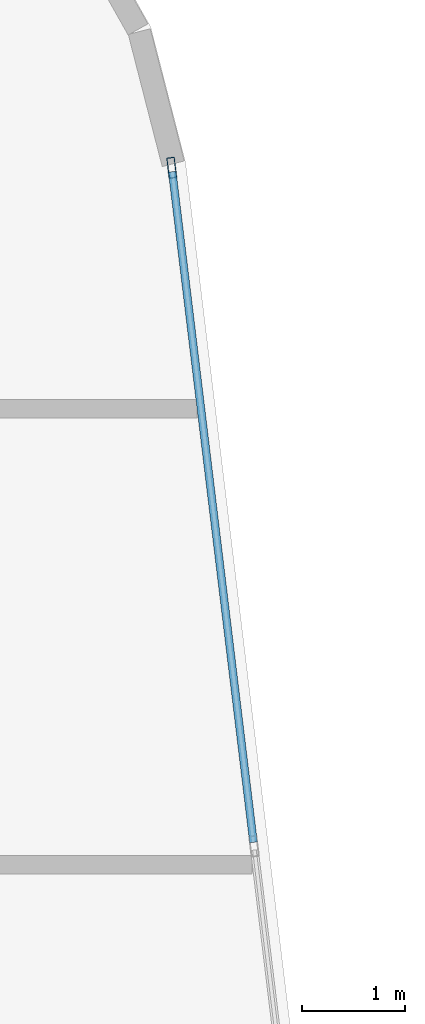
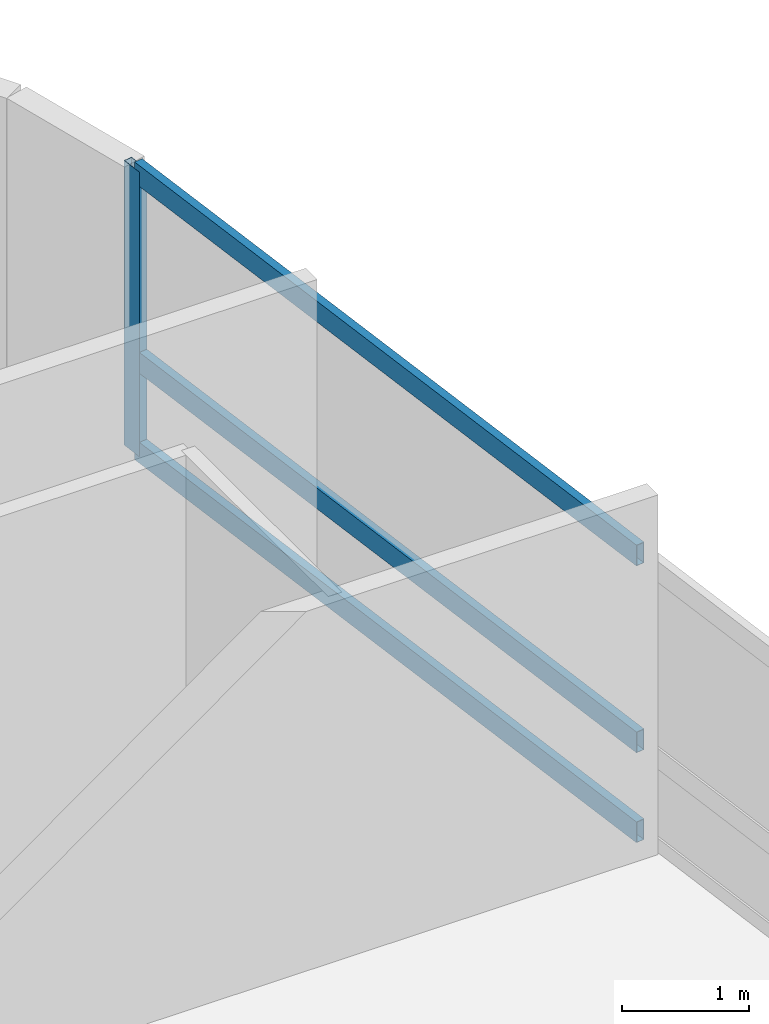
# One storey, part 12 of 23: 4 members, 1 element without a shape of its own.
"""IFC4 building model written with IfcOpenShell, lengths in metres."""

from ifc_helpers import new_model, si_unit, direction, frame, origin, origin_2d, place, context, subcontext, project, spatial, hollow_rectangle, extrude, material, layer, layer_set, material_profile, profile_set, type_object, element, aggregate, save


model = new_model("IFC4")

# Units and contexts
model_context = context("Model", 3, precision=1e-05, world=origin(), true_north=direction((0.0, 1.0)))
body_context = subcontext(model_context, "Body", "Model", "MODEL_VIEW")
ifc_project = project(units=[si_unit("LENGTHUNIT", "METRE"), si_unit("AREAUNIT", "SQUARE_METRE"), si_unit("VOLUMEUNIT", "CUBIC_METRE"), si_unit("PLANEANGLEUNIT", "RADIAN"), si_unit("MASSUNIT", "GRAM", prefix="KILO")], contexts=[model_context])

# Site, building, storey
site_placement = place(None, origin())
site = spatial("IfcSite", under=ifc_project, at=site_placement, CompositionType="ELEMENT")
building_placement = place(site_placement, origin())
building = spatial("IfcBuilding", under=site, at=building_placement, Name="Varnelok Gate Tower", CompositionType="ELEMENT")
storey_placement = place(building_placement, frame((0.0, 0.0, 193.10009765625)))
storey = spatial("IfcBuildingStorey", under=building, at=storey_placement, Name="L49", CompositionType="ELEMENT", Elevation=193.10009765625)

# Curtain wall, members
ifc_material = material(Name="Anodized Aluminum Alloy 6063-T6", Category="aluminium")
ifc_layer = layer(ifc_material, 0.179931640625)
ifc_layer_set = layer_set([ifc_layer], Name="Anodized Aluminum Alloy 6063-T6")
curtain_wall_type = type_object("IfcCurtainWallType", Name="CW4-RESIDENCE-VISION", PredefinedType="USERDEFINED", material=ifc_layer_set)
curtain_wall_placement = place(storey_placement, origin())
curtain_wall = element("IfcCurtainWall", 1, at=curtain_wall_placement, inside=storey, type_object=curtain_wall_type, Name="L49 East End Vision Curtain Wall", ObjectType="UNITISED CURTAIN WALL", PredefinedType="USERDEFINED")
ifc_material_profile_1 = material_profile(ifc_material, hollow_rectangle(XDim=0.074951171875, YDim=0.199951171875, WallThickness=0.00390625, at=origin_2d()), Name="ALU200X75X4")
ifc_profile_set_1 = profile_set([ifc_material_profile_1], Name="Anodized Aluminum Alloy 6063-T6")
member_type_1 = type_object("IfcMemberType", Name="CW-MULL-200", PredefinedType="MULLION", material=ifc_profile_set_1)
member_1_placement = place(storey_placement, frame((72.09912109375, 46.07275390625, 0.0), z_axis=(0.0, 0.0, 1.0), x_axis=(0.992732188751, 0.120344511371, 0.0)))
member_1 = element("IfcMember", 2, at=member_1_placement, type_object=member_type_1, Name="CW4 mullion 1", PredefinedType="MULLION", context=body_context, shape_type="SweptSolid", body=[
    extrude(hollow_rectangle(XDim=0.074951171875, YDim=0.199951171875, WallThickness=0.00390625, at=origin_2d()), origin(), (0.0, 0.0, 1.0), 2.72998046875),
])
ifc_material_profile_2 = material_profile(ifc_material, hollow_rectangle(XDim=0.074951171875, YDim=0.199951171875, WallThickness=0.00390625, at=origin_2d()), Name="ALU200X75X4")
ifc_profile_set_2 = profile_set([ifc_material_profile_2], Name="Anodized Aluminum Alloy 6063-T6")
member_type_2 = type_object("IfcMemberType", Name="CW-TRAN-200", PredefinedType="USERDEFINED", material=ifc_profile_set_2)
member_2_placement = place(storey_placement, frame((72.103759765625, 46.035400390625, 0.037353515625), z_axis=(0.120332477695, -0.992733647466, 0.0), x_axis=(0.992733647466, 0.120332477695, 0.0)))
member_2 = element("IfcMember", 3, at=member_2_placement, type_object=member_type_2, Name="CW4 transom 1.1", ObjectType="TRANSOM", PredefinedType="USERDEFINED", context=body_context, shape_type="SweptSolid", body=[
    extrude(hollow_rectangle(XDim=0.074951171875, YDim=0.199951171875, WallThickness=0.00390625, at=origin_2d()), origin(), (0.0, 0.0, 1.0), 6.5673828125),
])
member_3_placement = place(storey_placement, frame((72.103759765625, 46.035400390625, 0.89990234375), z_axis=(0.120332477695, -0.992733647466, 0.0), x_axis=(0.992733647466, 0.120332477695, 0.0)))
member_3 = element("IfcMember", 4, at=member_3_placement, type_object=member_type_2, Name="CW4 transom 1.2", ObjectType="TRANSOM", PredefinedType="USERDEFINED", context=body_context, shape_type="SweptSolid", body=[
    extrude(hollow_rectangle(XDim=0.074951171875, YDim=0.199951171875, WallThickness=0.00390625, at=origin_2d()), origin(), (0.0, 0.0, 1.0), 6.5673828125),
])
member_4_placement = place(storey_placement, frame((72.103759765625, 46.035400390625, 2.6923828125), z_axis=(0.120332477695, -0.992733647466, 0.0), x_axis=(0.992733647466, 0.120332477695, 0.0)))
member_4 = element("IfcMember", 5, at=member_4_placement, type_object=member_type_2, Name="CW4 transom 1.3", ObjectType="TRANSOM", PredefinedType="USERDEFINED", context=body_context, shape_type="SweptSolid", body=[
    extrude(hollow_rectangle(XDim=0.074951171875, YDim=0.199951171875, WallThickness=0.00390625, at=origin_2d()), origin(), (0.0, 0.0, 1.0), 6.5673828125),
])
aggregate(curtain_wall, [member_1, member_2, member_3, member_4])

save(model, "model.ifc")
